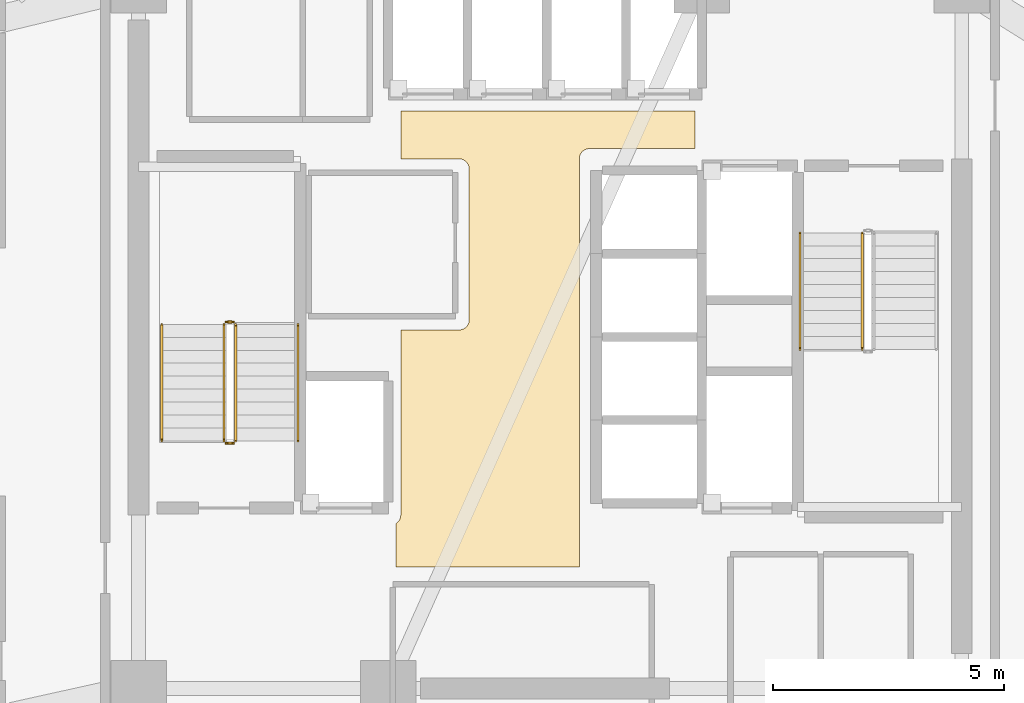
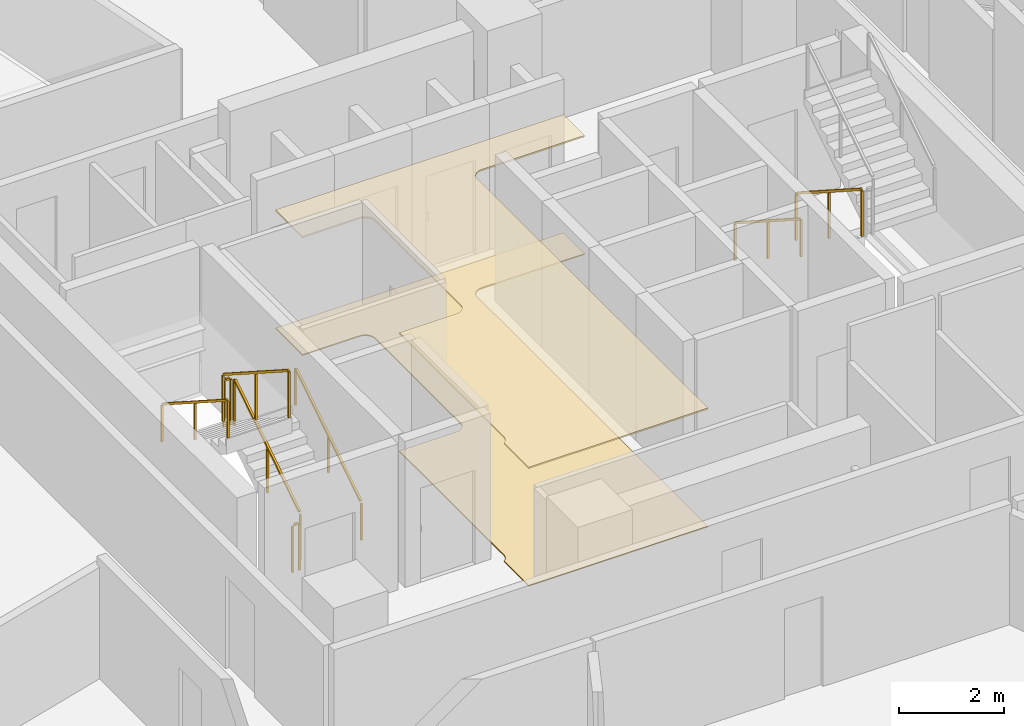
# One storey, part 17 of 21: 8 railings, 2 coverings.
"""IFC4 building model written with IfcOpenShell, lengths in metres."""

from ifc_helpers import new_model, si_unit, direction, frame, origin, origin_2d, place, context, subcontext, project, spatial, polyline, rectangle, outline, extrude, material, layer, layer_set, type_object, element, save


model = new_model("IFC4")

# Units and contexts
model_context = context("Model", 3, precision=1e-05, world=origin(), true_north=direction((0.0, 1.0)))
body_context = subcontext(model_context, "Body", "Model", "MODEL_VIEW")
ifc_project = project(units=[si_unit("LENGTHUNIT", "METRE"), si_unit("AREAUNIT", "SQUARE_METRE"), si_unit("VOLUMEUNIT", "CUBIC_METRE"), si_unit("PLANEANGLEUNIT", "RADIAN"), si_unit("MASSUNIT", "GRAM", prefix="KILO")], contexts=[model_context])

# Site, building, storey
site_placement = place(None, origin())
site = spatial("IfcSite", under=ifc_project, at=site_placement, CompositionType="ELEMENT")
building_placement = place(site_placement, origin())
building = spatial("IfcBuilding", under=site, at=building_placement, Name="Tharavind Bronze Gate", CompositionType="ELEMENT")
storey_placement = place(building_placement, frame((0.0, 0.0, 86.10009765625)))
storey = spatial("IfcBuildingStorey", under=building, at=storey_placement, Name="L21", CompositionType="ELEMENT", Elevation=86.10009765625)

# Coverings
ifc_material_1 = material(Name="Perforated Bronze Acoustic Panel", Category="bronze")
ifc_layer_1 = layer(ifc_material_1, 0.044921875)
ifc_layer_set_1 = layer_set([ifc_layer_1], Name="Perforated Bronze Acoustic Panel")
covering_type_1 = type_object("IfcCoveringType", Name="ACOUSTIC BRONZE BAFFLE CEILING", PredefinedType="CEILING", material=ifc_layer_set_1)
covering_1_placement = place(storey_placement, frame((0.0, 0.0, 2.75)))
element("IfcCovering", 1, at=covering_1_placement, inside=storey, type_object=covering_type_1, Name="L21-C-LL suspended ceiling", PredefinedType="CEILING", context=body_context, shape_type="SweptSolid", body=[
    extrude(outline(polyline([(-3.330078125, -4.97998046875), (0.6298828125, -4.97998046875), (0.6298828125, 3.85009765625), (0.631103515625, 3.87158203125), (0.63427734375, 3.892822265625), (0.639404296875, 3.913818359375), (0.646728515625, 3.93408203125), (0.656005859375, 3.95361328125), (0.6669921875, 3.97216796875), (0.679931640625, 3.989501953125), (0.6943359375, 4.005615234375), (0.71044921875, 4.02001953125), (0.727783203125, 4.032958984375), (0.746337890625, 4.0439453125), (0.765869140625, 4.05322265625), (0.7861328125, 4.060546875), (0.80712890625, 4.06591796875), (0.828369140625, 4.06884765625), (0.85009765625, 4.070068359375), (3.1298828125, 4.070068359375), (3.1298828125, 4.8798828125), (-3.22998046875, 4.8798828125), (-3.22998046875, 3.85009765625), (-1.969970703125, 3.85009765625), (-1.948486328125, 3.848876953125), (-1.927001953125, 3.845703125), (-1.906005859375, 3.840576171875), (-1.8857421875, 3.833251953125), (-1.8662109375, 3.823974609375), (-1.847900390625, 3.81298828125), (-1.830322265625, 3.800048828125), (-1.814453125, 3.78564453125), (-1.7998046875, 3.76953125), (-1.787109375, 3.752197265625), (-1.77587890625, 3.733642578125), (-1.7666015625, 3.714111328125), (-1.759521484375, 3.69384765625), (-1.754150390625, 3.6728515625), (-1.751220703125, 3.651611328125), (-1.75, 3.6298828125), (-1.75, 0.3701171875), (-1.751220703125, 0.348388671875), (-1.754150390625, 0.3271484375), (-1.759521484375, 0.30615234375), (-1.7666015625, 0.285888671875), (-1.77587890625, 0.266357421875), (-1.787109375, 0.247802734375), (-1.7998046875, 0.23046875), (-1.814453125, 0.21435546875), (-1.830322265625, 0.199951171875), (-1.847900390625, 0.18701171875), (-1.8662109375, 0.176025390625), (-1.8857421875, 0.166748046875), (-1.906005859375, 0.159423828125), (-1.927001953125, 0.154296875), (-1.948486328125, 0.151123046875), (-1.969970703125, 0.14990234375), (-3.22998046875, 0.14990234375), (-3.22998046875, -3.85009765625), (-3.231201171875, -3.87158203125), (-3.234130859375, -3.892822265625), (-3.239501953125, -3.913818359375), (-3.24658203125, -3.93408203125), (-3.256103515625, -3.95361328125), (-3.26708984375, -3.97216796875), (-3.27978515625, -3.989501953125), (-3.29443359375, -4.005615234375), (-3.310302734375, -4.02001953125), (-3.327880859375, -4.032958984375), (-3.330078125, -4.0341796875), (-3.330078125, -4.97998046875)])), origin(), (0.0, 0.0, 1.0), 0.034912109375),
])
ifc_material_2 = material(Name="Honed Travertine Limestone", Category="masonry")
ifc_layer_2 = layer(ifc_material_2, 0.030029296875)
ifc_layer_set_2 = layer_set([ifc_layer_2], Name="Honed Travertine Limestone")
covering_type_2 = type_object("IfcCoveringType", Name="HONED LIMESTONE FLOORING", PredefinedType="FLOORING", material=ifc_layer_set_2)
covering_2_placement = place(storey_placement, origin())
element("IfcCovering", 2, at=covering_2_placement, inside=storey, type_object=covering_type_2, Name="L21-C-LL floor finish", PredefinedType="FLOORING", context=body_context, shape_type="SweptSolid", body=[
    extrude(outline(polyline([(-3.330078125, -4.97998046875), (0.6298828125, -4.97998046875), (0.6298828125, 3.85009765625), (0.631103515625, 3.87158203125), (0.63427734375, 3.892822265625), (0.639404296875, 3.913818359375), (0.646728515625, 3.93408203125), (0.656005859375, 3.95361328125), (0.6669921875, 3.97216796875), (0.679931640625, 3.989501953125), (0.6943359375, 4.005615234375), (0.71044921875, 4.02001953125), (0.727783203125, 4.032958984375), (0.746337890625, 4.0439453125), (0.765869140625, 4.05322265625), (0.7861328125, 4.060546875), (0.80712890625, 4.06591796875), (0.828369140625, 4.06884765625), (0.85009765625, 4.070068359375), (3.1298828125, 4.070068359375), (3.1298828125, 4.8798828125), (-3.22998046875, 4.8798828125), (-3.22998046875, 3.85009765625), (-1.969970703125, 3.85009765625), (-1.948486328125, 3.848876953125), (-1.927001953125, 3.845703125), (-1.906005859375, 3.840576171875), (-1.8857421875, 3.833251953125), (-1.8662109375, 3.823974609375), (-1.847900390625, 3.81298828125), (-1.830322265625, 3.800048828125), (-1.814453125, 3.78564453125), (-1.7998046875, 3.76953125), (-1.787109375, 3.752197265625), (-1.77587890625, 3.733642578125), (-1.7666015625, 3.714111328125), (-1.759521484375, 3.69384765625), (-1.754150390625, 3.6728515625), (-1.751220703125, 3.651611328125), (-1.75, 3.6298828125), (-1.75, 0.3701171875), (-1.751220703125, 0.348388671875), (-1.754150390625, 0.3271484375), (-1.759521484375, 0.30615234375), (-1.7666015625, 0.285888671875), (-1.77587890625, 0.266357421875), (-1.787109375, 0.247802734375), (-1.7998046875, 0.23046875), (-1.814453125, 0.21435546875), (-1.830322265625, 0.199951171875), (-1.847900390625, 0.18701171875), (-1.8662109375, 0.176025390625), (-1.8857421875, 0.166748046875), (-1.906005859375, 0.159423828125), (-1.927001953125, 0.154296875), (-1.948486328125, 0.151123046875), (-1.969970703125, 0.14990234375), (-3.22998046875, 0.14990234375), (-3.22998046875, -3.85009765625), (-3.231201171875, -3.87158203125), (-3.234130859375, -3.892822265625), (-3.239501953125, -3.913818359375), (-3.24658203125, -3.93408203125), (-3.256103515625, -3.95361328125), (-3.26708984375, -3.97216796875), (-3.27978515625, -3.989501953125), (-3.29443359375, -4.005615234375), (-3.310302734375, -4.02001953125), (-3.327880859375, -4.032958984375), (-3.330078125, -4.0341796875), (-3.330078125, -4.97998046875)])), origin(), (0.0, 0.0, 1.0), 0.02490234375),
])

# Railings
ifc_material_3 = material(Name="Brushed Bronze Alloy", Category="metal")
railing_type_1 = type_object("IfcRailingType", Name="STAIR BRONZE HANDRAIL 900", PredefinedType="HANDRAIL", material=ifc_material_3)
railing_1_placement = place(storey_placement, frame((-5.449951171875, -2.25, 0.179931640625)))
element("IfcRailing", 3, at=railing_1_placement, inside=storey, type_object=railing_type_1, Name="L21 ST1 stair handrail 1", PredefinedType="HANDRAIL", context=body_context, shape_type="SweptSolid", body=[
    extrude(rectangle(XDim=0.048095703125, YDim=0.048095703125, at=origin_2d()), frame((0.0, 0.02685546875, 0.89306640625), z_axis=(0.0, 0.841199657755, 0.540724639528), x_axis=(-1.0, 0.0, 0.0)), (0.0, 0.0, 1.0), 2.931640625),
    extrude(rectangle(XDim=0.0400390625, YDim=0.0400390625, at=origin_2d()), origin(), (0.0, 0.0, 1.0), 0.847900390625),
    extrude(rectangle(XDim=0.0400390625, YDim=0.0400390625, at=origin_2d()), frame((0.0, 1.260009765625, 0.81005859375)), (0.0, 0.0, 1.0), 0.847900390625),
    extrude(rectangle(XDim=0.0400390625, YDim=0.0400390625, at=origin_2d()), frame((0.0, 2.52001953125, 1.619873046875)), (0.0, 0.0, 1.0), 0.847900390625),
])
for number, where, name in (
    (4, (-8.39990234375, 0.27001953125, 1.97998046875), "L21 ST1 stair handrail 2"),
    (5, (5.39990234375, 2.25, 0.179931640625), "L21 ST2 stair handrail 1"),
):
    element("IfcRailing", number, at=place(storey_placement, frame(where)), inside=storey, type_object=railing_type_1, Name=name, PredefinedType="HANDRAIL", context=body_context, shape_type="SweptSolid", body=[
        extrude(rectangle(XDim=0.048095703125, YDim=0.048095703125, at=origin_2d()), frame((0.0, -0.02685546875, 0.89306640625), z_axis=(0.0, -0.841199657755, 0.540724639528), x_axis=(1.0, 0.0, 0.0)), (0.0, 0.0, 1.0), 2.931640625),
        extrude(rectangle(XDim=0.0400390625, YDim=0.0400390625, at=origin_2d()), origin(), (0.0, 0.0, 1.0), 0.847900390625),
        extrude(rectangle(XDim=0.0400390625, YDim=0.0400390625, at=origin_2d()), frame((0.0, -1.260009765625, 0.81005859375)), (0.0, 0.0, 1.0), 0.847900390625),
        extrude(rectangle(XDim=0.0400390625, YDim=0.0400390625, at=origin_2d()), frame((0.0, -2.52001953125, 1.619873046875)), (0.0, 0.0, 1.0), 0.847900390625),
    ])
railing_type_2 = type_object("IfcRailingType", Name="STAIR WELL GUARD RAILING 1120", PredefinedType="GUARDRAIL", material=ifc_material_3)
railing_2_placement = place(storey_placement, frame((-6.800048828125, -2.25, 0.179931640625)))
element("IfcRailing", 6, at=railing_2_placement, inside=storey, type_object=railing_type_2, Name="L21 ST1 stair guard 1", PredefinedType="GUARDRAIL", context=body_context, shape_type="SweptSolid", body=[
    extrude(rectangle(XDim=0.048095703125, YDim=0.048095703125, at=origin_2d()), frame((0.0, 0.02685546875, 1.11328125), z_axis=(0.0, 0.841199657755, 0.540724639528), x_axis=(-1.0, 0.0, 0.0)), (0.0, 0.0, 1.0), 2.931640625),
    extrude(rectangle(XDim=0.0400390625, YDim=0.0400390625, at=origin_2d()), origin(), (0.0, 0.0, 1.0), 1.068115234375),
    extrude(rectangle(XDim=0.0400390625, YDim=0.0400390625, at=origin_2d()), frame((0.0, 1.260009765625, 0.81005859375)), (0.0, 0.0, 1.0), 1.068115234375),
    extrude(rectangle(XDim=0.0400390625, YDim=0.0400390625, at=origin_2d()), frame((0.0, 2.52001953125, 1.619873046875)), (0.0, 0.0, 1.0), 1.068115234375),
])
railing_3_placement = place(storey_placement, frame((-6.85009765625, 0.320068359375, 1.7998046875)))
element("IfcRailing", 7, at=railing_3_placement, inside=storey, type_object=railing_type_2, Name="L21 ST1 stair guard 2", PredefinedType="GUARDRAIL", context=body_context, shape_type="SweptSolid", body=[
    extrude(rectangle(XDim=0.048095703125, YDim=0.048095703125, at=origin_2d()), frame((-0.031982421875, 0.0, 1.09619140625), z_axis=(-1.0, 0.0, 0.0), x_axis=(0.0, -1.0, 0.0)), (0.0, 0.0, 1.0), 0.0859375),
    extrude(rectangle(XDim=0.0400390625, YDim=0.0400390625, at=origin_2d()), origin(), (0.0, 0.0, 1.0), 1.068115234375),
    extrude(rectangle(XDim=0.0400390625, YDim=0.0400390625, at=origin_2d()), frame((-0.14990234375, 0.0, 0.0)), (0.0, 0.0, 1.0), 1.068115234375),
])
railing_4_placement = place(storey_placement, frame((-7.050048828125, 0.27001953125, 1.97998046875)))
element("IfcRailing", 8, at=railing_4_placement, inside=storey, type_object=railing_type_2, Name="L21 ST1 stair guard 3", PredefinedType="GUARDRAIL", context=body_context, shape_type="SweptSolid", body=[
    extrude(rectangle(XDim=0.048095703125, YDim=0.048095703125, at=origin_2d()), frame((0.0, -0.02685546875, 1.11328125), z_axis=(0.0, -0.841199657755, 0.540724639528), x_axis=(1.0, 0.0, 0.0)), (0.0, 0.0, 1.0), 2.931640625),
    extrude(rectangle(XDim=0.0400390625, YDim=0.0400390625, at=origin_2d()), origin(), (0.0, 0.0, 1.0), 1.068115234375),
    extrude(rectangle(XDim=0.0400390625, YDim=0.0400390625, at=origin_2d()), frame((0.0, -1.260009765625, 0.81005859375)), (0.0, 0.0, 1.0), 1.068115234375),
    extrude(rectangle(XDim=0.0400390625, YDim=0.0400390625, at=origin_2d()), frame((0.0, -2.52001953125, 1.619873046875)), (0.0, 0.0, 1.0), 1.068115234375),
])
railing_5_placement = place(storey_placement, frame((-6.85009765625, -2.300048828125, 0.0)))
element("IfcRailing", 9, at=railing_5_placement, inside=storey, type_object=railing_type_2, Name="L21 ST1 stair guard 4", PredefinedType="GUARDRAIL", context=body_context, shape_type="SweptSolid", body=[
    extrude(rectangle(XDim=0.048095703125, YDim=0.048095703125, at=origin_2d()), frame((-0.031982421875, 0.0, 1.09619140625), z_axis=(-1.0, 0.0, 0.0), x_axis=(0.0, -1.0, 0.0)), (0.0, 0.0, 1.0), 0.0859375),
    extrude(rectangle(XDim=0.0400390625, YDim=0.0400390625, at=origin_2d()), origin(), (0.0, 0.0, 1.0), 1.068115234375),
    extrude(rectangle(XDim=0.0400390625, YDim=0.0400390625, at=origin_2d()), frame((-0.14990234375, 0.0, 0.0)), (0.0, 0.0, 1.0), 1.068115234375),
])
railing_6_placement = place(storey_placement, frame((6.75, 2.25, 0.179931640625)))
element("IfcRailing", 10, at=railing_6_placement, inside=storey, type_object=railing_type_2, Name="L21 ST2 stair guard 1", PredefinedType="GUARDRAIL", context=body_context, shape_type="SweptSolid", body=[
    extrude(rectangle(XDim=0.048095703125, YDim=0.048095703125, at=origin_2d()), frame((0.0, -0.02685546875, 1.11328125), z_axis=(0.0, -0.841199657755, 0.540724639528), x_axis=(1.0, 0.0, 0.0)), (0.0, 0.0, 1.0), 2.931640625),
    extrude(rectangle(XDim=0.0400390625, YDim=0.0400390625, at=origin_2d()), origin(), (0.0, 0.0, 1.0), 1.068115234375),
    extrude(rectangle(XDim=0.0400390625, YDim=0.0400390625, at=origin_2d()), frame((0.0, -1.260009765625, 0.81005859375)), (0.0, 0.0, 1.0), 1.068115234375),
    extrude(rectangle(XDim=0.0400390625, YDim=0.0400390625, at=origin_2d()), frame((0.0, -2.52001953125, 1.619873046875)), (0.0, 0.0, 1.0), 1.068115234375),
])

save(model, "model.ifc")
